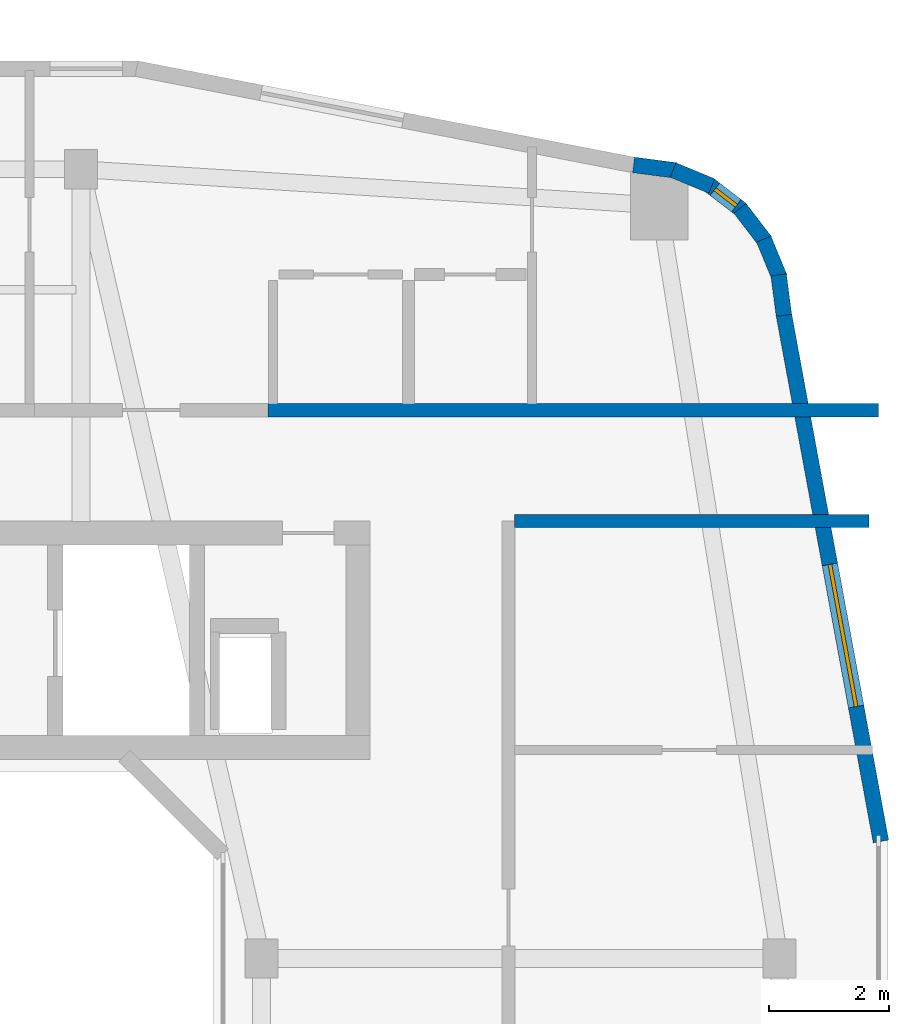
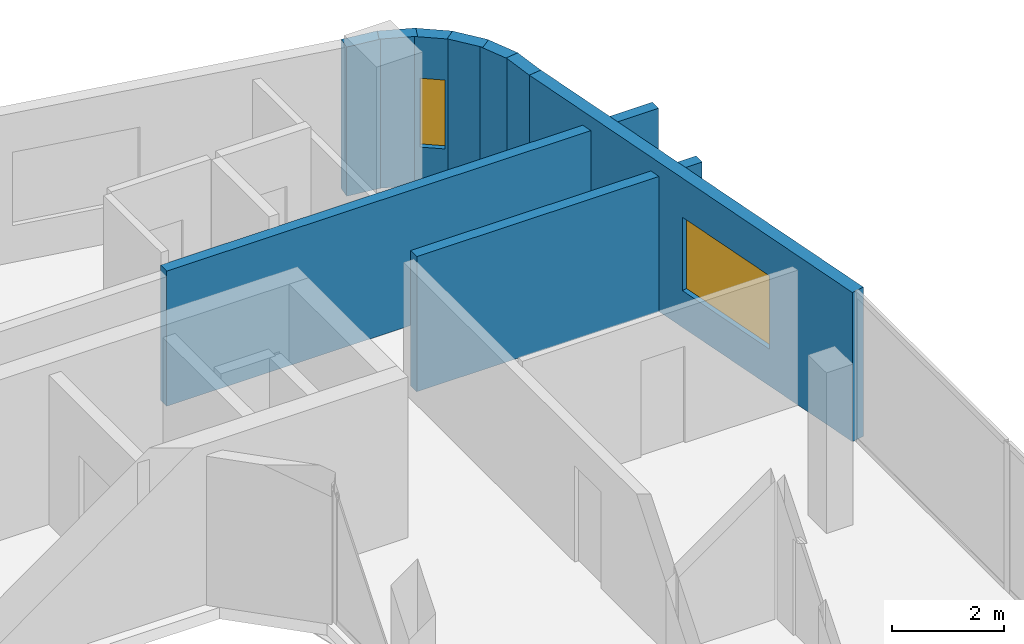
# One storey, part 16 of 22: 9 walls, 2 windows, 2 openings.
"""IFC4 building model written with IfcOpenShell, lengths in metres."""

from ifc_helpers import new_model, si_unit, derived_unit, direction, frame, frame_2d, origin, place, context, subcontext, project, spatial, rectangle, extrude, material, layer, layer_set, type_object, element, fill, save


model = new_model("IFC4")

# Units and contexts
model_context = context("Model", 3, precision=1e-05, world=origin(), true_north=direction((0.0, 1.0)))
body_context = subcontext(model_context, "Body", "Model", "MODEL_VIEW")
ifc_project = project(units=[si_unit("LENGTHUNIT", "METRE"), si_unit("AREAUNIT", "SQUARE_METRE"), si_unit("VOLUMEUNIT", "CUBIC_METRE"), si_unit("PLANEANGLEUNIT", "RADIAN"), si_unit("MASSUNIT", "GRAM", prefix="KILO"), derived_unit("THERMALTRANSMITTANCEUNIT", [(si_unit("POWERUNIT", "WATT"), 1), (si_unit("LENGTHUNIT", "METRE"), -2), (si_unit("THERMODYNAMICTEMPERATUREUNIT", "KELVIN"), -1)])], contexts=[model_context])

# Site, building, storey
site_placement = place(None, origin())
site = spatial("IfcSite", under=ifc_project, at=site_placement, CompositionType="ELEMENT")
building_placement = place(site_placement, origin())
building = spatial("IfcBuilding", under=site, at=building_placement, Name="Kivonza Crest Hotel", CompositionType="ELEMENT")
storey_placement = place(building_placement, frame((0.0, 0.0, 124.0)))
storey = spatial("IfcBuildingStorey", under=building, at=storey_placement, Name="L33", CompositionType="ELEMENT", Elevation=124.0)

# Walls
ifc_material_1 = material(Name="Autoclaved aerated concrete blockwork", Category="masonry")
ifc_layer_1 = layer(ifc_material_1, 0.219970703125)
ifc_layer_set_1 = layer_set([ifc_layer_1], Name="Autoclaved aerated concrete blockwork")
wall_type_1 = type_object("IfcWallType", Name="WL-ACOU-220", PredefinedType="SOLIDWALL", material=ifc_layer_set_1)
wall_1_placement = place(storey_placement, frame((84.510009765625, 37.60009765625, 0.0), z_axis=(0.0, 0.0, 1.0), x_axis=(1.0, 0.0, 0.0)))
element("IfcWall", 1, at=wall_1_placement, inside=storey, type_object=wall_type_1, Name="L33 interior partition WA-L33-A02-RCORR", PredefinedType="SOLIDWALL", context=body_context, shape_type="SweptSolid", body=[
    extrude(rectangle(XDim=10.1298828125, YDim=0.219970703125, at=frame_2d((5.06494140625, 0.0))), origin(), (0.0, 0.0, 1.0), 2.945068359375),
])
wall_2_placement = place(storey_placement, frame((88.60009765625, 35.760009765625, 0.0), z_axis=(0.0, 0.0, 1.0), x_axis=(1.0, 0.0, 0.0)))
element("IfcWall", 2, at=wall_2_placement, inside=storey, type_object=wall_type_1, Name="L33 interior partition WA-L33-T2E-ENDN", PredefinedType="SOLIDWALL", context=body_context, shape_type="SweptSolid", body=[
    extrude(rectangle(XDim=5.8798828125, YDim=0.219970703125, at=frame_2d((2.93994140625, 0.0))), origin(), (0.0, 0.0, 1.0), 2.945068359375),
])

# Wall, opening, window
ifc_material_2 = material(Name="Precast concrete C40/50", Category="concrete")
ifc_layer_2 = layer(ifc_material_2, 0.260009765625)
ifc_layer_set_2 = layer_set([ifc_layer_2], Name="Precast concrete C40/50")
wall_type_2 = type_object("IfcWallType", Name="WL-EXT-260", PredefinedType="STANDARD", material=ifc_layer_set_2)
wall_3_placement = place(storey_placement, frame((94.681884765625, 30.44189453125, 0.0), z_axis=(0.0, 0.0, 1.0), x_axis=(-0.181209963057, 0.983444431215, 0.0)))
wall_3 = element("IfcWall", 3, at=wall_3_placement, inside=storey, type_object=wall_type_2, Name="L33 T2 exterior insulated wall 18", PredefinedType="STANDARD", context=body_context, shape_type="SweptSolid", body=[
    extrude(rectangle(XDim=8.889404296875, YDim=0.260009765625, at=frame_2d((4.44482421875, 0.0))), origin(), (0.0, 0.0, 1.0), 3.25),
])
opening_1_placement = place(wall_3_placement, frame((2.27587890625, 0.0, 0.800048828125)))
opening_1 = element("IfcOpeningElement", 4, at=opening_1_placement, cuts=wall_3, Name="Opening WN-05", PredefinedType="OPENING", context=body_context, shape_type="SweptSolid", body=[
    extrude(rectangle(XDim=2.39990234375, YDim=1.60009765625, at=frame_2d((1.199951171875, 0.800048828125))), frame((0.0, 0.14013671875, 0.0), z_axis=(0.0, -1.0, 0.0), x_axis=(1.0, 0.0, 0.0)), (0.0, 0.0, 1.0), 0.280029296875),
])
ifc_material_3 = material(Name="Thermally broken bronze aluminium and low-E double glazing", Category="aluminium")
window_type_1 = type_object("IfcWindowType", Name="WN-240x160", PartitioningType="TRIPLE_PANEL_VERTICAL", PredefinedType="WINDOW", material=ifc_material_3)
window_1_placement = place(opening_1_placement, origin())
window_1 = element("IfcWindow", 5, at=window_1_placement, inside=storey, type_object=window_type_1, Name="L33 T2 facade window 18", OverallHeight=1.60009765625, OverallWidth=2.39990234375, PartitioningType="SINGLE_PANEL", PredefinedType="WINDOW", context=body_context, shape_type="SweptSolid", body=[
    extrude(rectangle(XDim=2.39990234375, YDim=1.60009765625, at=frame_2d((1.199951171875, 0.800048828125))), frame((0.0, 0.030029296875, 0.0), z_axis=(0.0, -1.0, 0.0), x_axis=(1.0, 0.0, 0.0)), (0.0, 0.0, 1.0), 0.06005859375),
])
fill(opening_1, window_1)

# Walls
wall_4_placement = place(storey_placement, frame((93.072021484375, 39.175048828125, 0.0), z_axis=(0.0, 0.0, 1.0), x_axis=(-0.131667498923, 0.991293937098, 0.0)))
element("IfcWall", 6, at=wall_4_placement, inside=storey, type_object=wall_type_2, Name="L33 T2 exterior insulated wall 19", PredefinedType="STANDARD", context=body_context, shape_type="SweptSolid", body=[
    extrude(rectangle(XDim=0.6767578125, YDim=0.260009765625, at=frame_2d((0.33837890625, 0.0))), origin(), (0.0, 0.0, 1.0), 3.25),
])
wall_5_placement = place(storey_placement, frame((93.0009765625, 39.800048828125, 0.0), z_axis=(0.0, 0.0, 1.0), x_axis=(-0.381988976935, 0.924166879681, 0.0)))
element("IfcWall", 7, at=wall_5_placement, inside=storey, type_object=wall_type_2, Name="L33 T2 exterior insulated wall 20", PredefinedType="STANDARD", context=body_context, shape_type="SweptSolid", body=[
    extrude(rectangle(XDim=0.693359375, YDim=0.260009765625, at=frame_2d((0.3466796875, 0.0))), origin(), (0.0, 0.0, 1.0), 3.25),
])
wall_6_placement = place(storey_placement, frame((92.763916015625, 40.40087890625, 0.0), z_axis=(0.0, 0.0, 1.0), x_axis=(-0.609472651958, 0.792807092876, 0.0)))
element("IfcWall", 8, at=wall_6_placement, inside=storey, type_object=wall_type_2, Name="L33 T2 exterior insulated wall 21", PredefinedType="STANDARD", context=body_context, shape_type="SweptSolid", body=[
    extrude(rectangle(XDim=0.69384765625, YDim=0.260009765625, at=frame_2d((0.346923828125, 0.0))), origin(), (0.0, 0.0, 1.0), 3.25),
])

# Wall, opening, window
wall_7_placement = place(storey_placement, frame((92.37890625, 40.919921875, 0.0), z_axis=(0.0, 0.0, 1.0), x_axis=(-0.792506234191, 0.609863811657, 0.0)))
wall_7 = element("IfcWall", 9, at=wall_7_placement, inside=storey, type_object=wall_type_2, Name="L33 T2 exterior insulated wall 22", PredefinedType="STANDARD", context=body_context, shape_type="SweptSolid", body=[
    extrude(rectangle(XDim=0.69384765625, YDim=0.260009765625, at=frame_2d((0.346923828125, 0.0))), origin(), (0.0, 0.0, 1.0), 3.25),
])
opening_2_placement = place(wall_7_placement, frame((0.1220703125, 0.0, 0.85009765625)))
opening_2 = element("IfcOpeningElement", 10, at=opening_2_placement, cuts=wall_7, Name="Opening WN-11", PredefinedType="OPENING", context=body_context, shape_type="SweptSolid", body=[
    extrude(rectangle(XDim=0.449951171875, YDim=1.5, at=frame_2d((0.22509765625, 0.75))), frame((0.0, 0.14013671875, 0.0), z_axis=(0.0, -1.0, 0.0), x_axis=(1.0, 0.0, 0.0)), (0.0, 0.0, 1.0), 0.280029296875),
])
window_type_2 = type_object("IfcWindowType", Name="WN-045x150", PartitioningType="SINGLE_PANEL", PredefinedType="WINDOW", material=ifc_material_3)
window_2_placement = place(opening_2_placement, origin())
window_2 = element("IfcWindow", 11, at=window_2_placement, inside=storey, type_object=window_type_2, Name="L33 corner vision window 3", OverallHeight=1.5, OverallWidth=0.449951171875, PartitioningType="SINGLE_PANEL", PredefinedType="WINDOW", context=body_context, shape_type="SweptSolid", body=[
    extrude(rectangle(XDim=0.449951171875, YDim=1.5, at=frame_2d((0.22509765625, 0.75))), frame((0.0, 0.030029296875, 0.0), z_axis=(0.0, -1.0, 0.0), x_axis=(1.0, 0.0, 0.0)), (0.0, 0.0, 1.0), 0.06005859375),
])
fill(opening_2, window_2)

# Walls
wall_8_placement = place(storey_placement, frame((91.873046875, 41.322021484375, 0.0), z_axis=(0.0, 0.0, 1.0), x_axis=(-0.92421822618, 0.381864727877, 0.0)))
element("IfcWall", 12, at=wall_8_placement, inside=storey, type_object=wall_type_2, Name="L33 T2 exterior insulated wall 23", PredefinedType="STANDARD", context=body_context, shape_type="SweptSolid", body=[
    extrude(rectangle(XDim=0.693603515625, YDim=0.260009765625, at=frame_2d((0.3466796875, 0.0))), origin(), (0.0, 0.0, 1.0), 3.25),
])
wall_9_placement = place(storey_placement, frame((91.281005859375, 41.5791015625, 0.0), z_axis=(0.0, 0.0, 1.0), x_axis=(-0.991433279471, 0.130614135366, 0.0)))
element("IfcWall", 13, at=wall_9_placement, inside=storey, type_object=wall_type_2, Name="L33 T2 exterior insulated wall 24", PredefinedType="STANDARD", context=body_context, shape_type="SweptSolid", body=[
    extrude(rectangle(XDim=0.712158203125, YDim=0.260009765625, at=frame_2d((0.35595703125, 0.0))), origin(), (0.0, 0.0, 1.0), 3.25),
])

save(model, "model.ifc")
